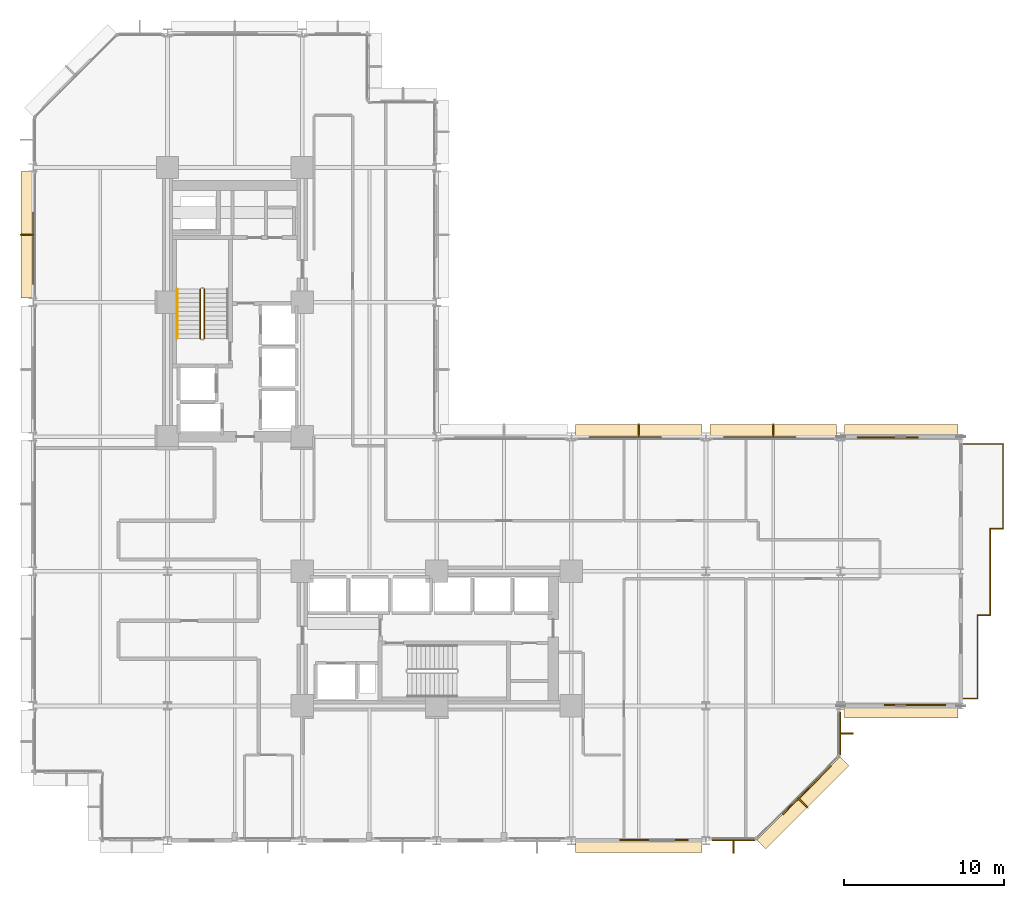
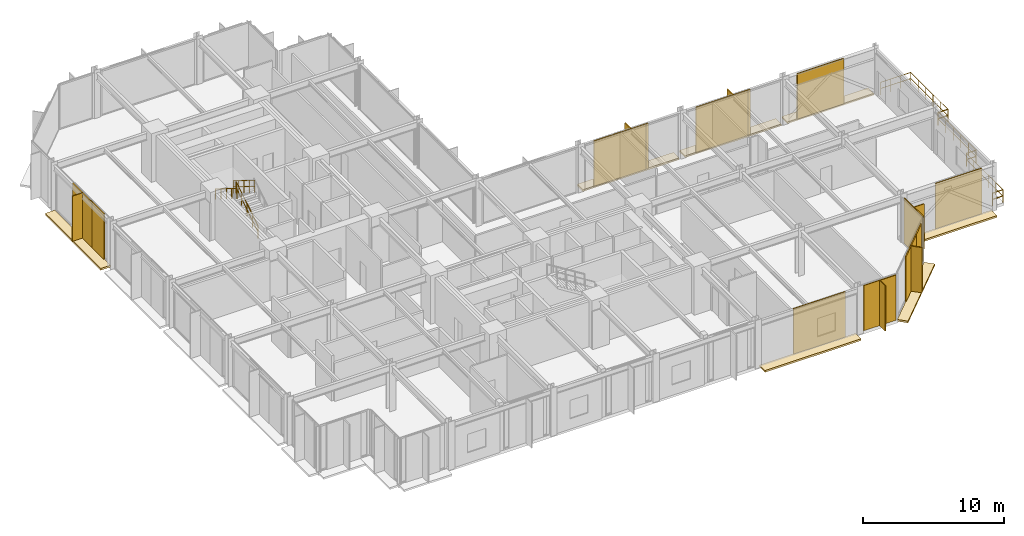
# One storey, part 29 of 30: 14 coverings, 12 shading devices, 10 railings.
"""IFC4 building model written with IfcOpenShell, lengths in metres."""

from ifc_helpers import new_model, si_unit, direction, frame, origin, origin_2d, place, context, subcontext, project, spatial, polyline, rectangle, circle, outline, extrude, material, layer, layer_set, type_object, element, save


model = new_model("IFC4")

# Units and contexts
model_context = context("Model", 3, precision=1e-05, world=origin(), true_north=direction((0.0, 1.0)))
body_context = subcontext(model_context, "Body", "Model", "MODEL_VIEW")
ifc_project = project(units=[si_unit("LENGTHUNIT", "METRE"), si_unit("AREAUNIT", "SQUARE_METRE"), si_unit("VOLUMEUNIT", "CUBIC_METRE"), si_unit("PLANEANGLEUNIT", "RADIAN"), si_unit("MASSUNIT", "GRAM", prefix="KILO")], contexts=[model_context])

# Site, building, storey
site_placement = place(None, origin())
site = spatial("IfcSite", under=ifc_project, at=site_placement, CompositionType="ELEMENT")
building_placement = place(site_placement, origin())
building = spatial("IfcBuilding", under=site, at=building_placement, Name="Nerrivon Quay Data Exchange", CompositionType="ELEMENT")
storey_placement = place(building_placement, frame((0.0, 0.0, 62.60009765625)))
storey = spatial("IfcBuildingStorey", under=building, at=storey_placement, Name="L14", CompositionType="ELEMENT", Elevation=62.60009765625)

# Coverings
ifc_material_1 = material(Name="Architectural terracotta ceramic", Category="masonry")
ifc_layer_1 = layer(ifc_material_1, 0.159912109375)
ifc_layer_set_1 = layer_set([ifc_layer_1], Name="Architectural terracotta ceramic")
covering_type_1 = type_object("IfcCoveringType", Name="COV-BLD-TERR", PredefinedType="CLADDING", material=ifc_layer_set_1)
covering_1_placement = place(storey_placement, frame((0.0, 0.0, -0.16015625)))
element("IfcCovering", 1, at=covering_1_placement, inside=storey, type_object=covering_type_1, Name="L14 Horizontal Terracotta SOLAR SCREEN Blade", PredefinedType="CLADDING", context=body_context, shape_type="SweptSolid", body=[
    extrude(outline(polyline([(57.744384765625, 8.43994140625), (50.64990234375, 8.43994140625), (50.64990234375, 7.64990234375), (57.744384765625, 7.64990234375), (57.744384765625, 8.43994140625)])), origin(), (0.0, 0.0, 1.0), 0.16015625),
])
covering_2_placement = place(storey_placement, frame((0.0, 0.0, -0.16015625)))
element("IfcCovering", 2, at=covering_2_placement, inside=storey, type_object=covering_type_1, Name="L14 Horizontal Terracotta SOLAR SCREEN Blade", PredefinedType="CLADDING", context=body_context, shape_type="SweptSolid", body=[
    extrude(outline(polyline([(50.37158203125, 5.228271484375), (45.171630859375, 0.0283203125), (45.730224609375, -0.5302734375), (50.930419921875, 4.669677734375), (50.37158203125, 5.228271484375)])), origin(), (0.0, 0.0, 1.0), 0.16015625),
])
covering_3_placement = place(storey_placement, frame((0.0, 0.0, -0.16015625)))
element("IfcCovering", 3, at=covering_3_placement, inside=storey, type_object=covering_type_1, Name="L14 Horizontal Terracotta SOLAR SCREEN Blade", PredefinedType="CLADDING", context=body_context, shape_type="SweptSolid", body=[
    extrude(outline(polyline([(41.75, 0.0400390625), (33.85009765625, 0.0400390625), (33.85009765625, -0.75), (41.75, -0.75), (41.75, 0.0400390625)])), origin(), (0.0, 0.0, 1.0), 0.16015625),
])
covering_4_placement = place(storey_placement, frame((0.0, 0.0, -0.16015625)))
element("IfcCovering", 4, at=covering_4_placement, inside=storey, type_object=covering_type_1, Name="L14 Horizontal Terracotta SOLAR SCREEN Blade", PredefinedType="CLADDING", context=body_context, shape_type="SweptSolid", body=[
    extrude(outline(polyline([(0.0400390625, 33.85009765625), (0.0400390625, 41.75), (-0.75, 41.75), (-0.75, 33.85009765625), (0.0400390625, 33.85009765625)])), origin(), (0.0, 0.0, 1.0), 0.16015625),
])
covering_5_placement = place(storey_placement, frame((0.0, 0.0, -0.16015625)))
element("IfcCovering", 5, at=covering_5_placement, inside=storey, type_object=covering_type_1, Name="L14 Horizontal Terracotta SOLAR SCREEN Blade", PredefinedType="CLADDING", context=body_context, shape_type="SweptSolid", body=[
    extrude(outline(polyline([(33.85009765625, 25.159912109375), (41.75, 25.159912109375), (41.75, 25.949951171875), (33.85009765625, 25.949951171875), (33.85009765625, 25.159912109375)])), origin(), (0.0, 0.0, 1.0), 0.16015625),
])
covering_6_placement = place(storey_placement, frame((0.0, 0.0, -0.16015625)))
element("IfcCovering", 6, at=covering_6_placement, inside=storey, type_object=covering_type_1, Name="L14 Horizontal Terracotta SOLAR SCREEN Blade", PredefinedType="CLADDING", context=body_context, shape_type="SweptSolid", body=[
    extrude(outline(polyline([(42.25, 25.159912109375), (50.14990234375, 25.159912109375), (50.14990234375, 25.949951171875), (42.25, 25.949951171875), (42.25, 25.159912109375)])), origin(), (0.0, 0.0, 1.0), 0.16015625),
])
covering_7_placement = place(storey_placement, frame((0.0, 0.0, -0.16015625)))
element("IfcCovering", 7, at=covering_7_placement, inside=storey, type_object=covering_type_1, Name="L14 Horizontal Terracotta SOLAR SCREEN Blade", PredefinedType="CLADDING", context=body_context, shape_type="SweptSolid", body=[
    extrude(outline(polyline([(50.64990234375, 25.159912109375), (57.744384765625, 25.159912109375), (57.744384765625, 25.949951171875), (50.64990234375, 25.949951171875), (50.64990234375, 25.159912109375)])), origin(), (0.0, 0.0, 1.0), 0.16015625),
])
ifc_layer_2 = layer(ifc_material_1, 0.090087890625)
ifc_layer_set_2 = layer_set([ifc_layer_2], Name="Architectural terracotta ceramic")
covering_type_2 = type_object("IfcCoveringType", Name="COV-SCR-TERR", PredefinedType="CLADDING", material=ifc_layer_set_2)
covering_8_placement = place(storey_placement, frame((55.048583984375, 8.445068359375, 0.0), z_axis=(0.0, 0.0, 1.0), x_axis=(-1.0, 0.0, 0.0)))
element("IfcCovering", 8, at=covering_8_placement, inside=storey, type_object=covering_type_2, Name="L14 Perforated Terracotta SOLAR SCREEN Cassette", PredefinedType="CLADDING", context=body_context, shape_type="SweptSolid", body=[
    extrude(rectangle(XDim=3.8310546875, YDim=0.090087890625, at=origin_2d()), origin(), (0.0, 0.0, 1.0), 3.925048828125),
])
covering_9_placement = place(storey_placement, frame((48.39208984375, 3.255859375, 0.0), z_axis=(0.0, 0.0, 1.0), x_axis=(-0.707106781187, -0.707106781187, 0.0)))
element("IfcCovering", 9, at=covering_9_placement, inside=storey, type_object=covering_type_2, Name="L14 Perforated Terracotta SOLAR SCREEN Cassette", PredefinedType="CLADDING", context=body_context, shape_type="SweptSolid", body=[
    extrude(rectangle(XDim=3.970947265625, YDim=0.090087890625, at=origin_2d()), origin(), (0.0, 0.0, 1.0), 3.925048828125),
])
for number, where, z_axis, x_axis, name in (
    (10, (38.748046875, 0.044921875, 0.0), (0.0, 0.0, 1.0), (-1.0, 0.0, 0.0), "L14 Perforated Terracotta SOLAR SCREEN Cassette"),
    (11, (0.044921875, 36.85205078125, 0.0), (0.0, 0.0, 1.0), (0.0, 1.0, 0.0), "L14 Perforated Terracotta SOLAR SCREEN Cassette"),
    (12, (36.85205078125, 25.155029296875, 0.0), (0.0, 0.0, 1.0), (1.0, 0.0, 0.0), "L14 Perforated Terracotta SOLAR SCREEN Cassette"),
    (13, (45.251953125, 25.155029296875, 0.0), (0.0, 0.0, 1.0), (1.0, 0.0, 0.0), "L14 Perforated Terracotta SOLAR SCREEN Cassette"),
):
    element("IfcCovering", number, at=place(storey_placement, frame(where, z_axis=z_axis, x_axis=x_axis)), inside=storey, type_object=covering_type_2, Name=name, PredefinedType="CLADDING", context=body_context, shape_type="SweptSolid", body=[
        extrude(rectangle(XDim=4.26611328125, YDim=0.090087890625, at=origin_2d()), origin(), (0.0, 0.0, 1.0), 3.925048828125),
    ])
covering_10_placement = place(storey_placement, frame((53.345947265625, 25.155029296875, 0.0), z_axis=(0.0, 0.0, 1.0), x_axis=(1.0, 0.0, 0.0)))
element("IfcCovering", 14, at=covering_10_placement, inside=storey, type_object=covering_type_2, Name="L14 Perforated Terracotta SOLAR SCREEN Cassette", PredefinedType="CLADDING", context=body_context, shape_type="SweptSolid", body=[
    extrude(rectangle(XDim=3.8310546875, YDim=0.090087890625, at=origin_2d()), origin(), (0.0, 0.0, 1.0), 3.925048828125),
])

# Railings
ifc_material_2 = material(Name="Steel Grade C350L0 (350 MPa)", Category="steel")
railing_type_1 = type_object("IfcRailingType", Name="RAIL-GUARD-GR2", PredefinedType="BALUSTRADE", material=ifc_material_2)
railing_1_placement = place(storey_placement, frame((58.93994140625, 14.06005859375, 0.0)))
element("IfcRailing", 15, at=railing_1_placement, inside=storey, type_object=railing_type_1, Name="L14 Verandah Balcony Guard 1.1 1", PredefinedType="BALUSTRADE", context=body_context, shape_type="SweptSolid", body=[
    extrude(circle(Radius=0.02392578125, at=origin_2d()), frame((0.0, 0.0, 1.09619140625), z_axis=(0.0, -1.0, 0.0), x_axis=(1.0, 0.0, 0.0)), (0.0, 0.0, 1.0), 5.199951171875),
    extrude(circle(Radius=0.02392578125, at=origin_2d()), frame((0.0, 0.0, 0.56005859375), z_axis=(0.0, -1.0, 0.0), x_axis=(1.0, 0.0, 0.0)), (0.0, 0.0, 1.0), 5.199951171875),
    extrude(circle(Radius=0.02099609375, at=origin_2d()), origin(), (0.0, 0.0, 1.0), 1.072021484375),
    extrude(circle(Radius=0.02099609375, at=origin_2d()), frame((0.0, -1.0400390625, 0.0)), (0.0, 0.0, 1.0), 1.072021484375),
    extrude(circle(Radius=0.02099609375, at=origin_2d()), frame((0.0, -2.080078125, 0.0)), (0.0, 0.0, 1.0), 1.072021484375),
    extrude(circle(Radius=0.02099609375, at=origin_2d()), frame((0.0, -3.119873046875, 0.0)), (0.0, 0.0, 1.0), 1.072021484375),
    extrude(circle(Radius=0.02099609375, at=origin_2d()), frame((0.0, -4.159912109375, 0.0)), (0.0, 0.0, 1.0), 1.072021484375),
    extrude(circle(Radius=0.02099609375, at=origin_2d()), frame((0.0, -5.199951171875, 0.0)), (0.0, 0.0, 1.0), 1.072021484375),
])
railing_2_placement = place(storey_placement, frame((58.93994140625, 8.860107421875, 0.0)))
element("IfcRailing", 16, at=railing_2_placement, inside=storey, type_object=railing_type_1, Name="L14 Verandah Balcony Guard 1.2 1", PredefinedType="BALUSTRADE", context=body_context, shape_type="SweptSolid", body=[
    extrude(circle(Radius=0.02392578125, at=origin_2d()), frame((0.0, 0.0, 1.09619140625), z_axis=(-1.0, 0.0, 0.0), x_axis=(0.0, -1.0, 0.0)), (0.0, 0.0, 1.0), 0.85986328125),
    extrude(circle(Radius=0.02392578125, at=origin_2d()), frame((0.0, 0.0, 0.56005859375), z_axis=(-1.0, 0.0, 0.0), x_axis=(0.0, -1.0, 0.0)), (0.0, 0.0, 1.0), 0.85986328125),
    extrude(circle(Radius=0.02099609375, at=origin_2d()), origin(), (0.0, 0.0, 1.0), 1.072021484375),
    extrude(circle(Radius=0.02099609375, at=origin_2d()), frame((-0.85986328125, 0.0, 0.0)), (0.0, 0.0, 1.0), 1.072021484375),
])
railing_3_placement = place(storey_placement, frame((58.080078125, 24.739990234375, 0.0)))
element("IfcRailing", 17, at=railing_3_placement, inside=storey, type_object=railing_type_1, Name="L14 Verandah Balcony Guard 1.3 1", PredefinedType="BALUSTRADE", context=body_context, shape_type="SweptSolid", body=[
    extrude(circle(Radius=0.02392578125, at=origin_2d()), frame((0.0, 0.0, 1.09619140625), z_axis=(1.0, 0.0, 0.0), x_axis=(0.0, 1.0, 0.0)), (0.0, 0.0, 1.0), 2.4599609375),
    extrude(circle(Radius=0.02392578125, at=origin_2d()), frame((0.0, 0.0, 0.56005859375), z_axis=(1.0, 0.0, 0.0), x_axis=(0.0, 1.0, 0.0)), (0.0, 0.0, 1.0), 2.4599609375),
    extrude(circle(Radius=0.02099609375, at=origin_2d()), origin(), (0.0, 0.0, 1.0), 1.072021484375),
    extrude(circle(Radius=0.02099609375, at=origin_2d()), frame((0.820068359375, 0.0, 0.0)), (0.0, 0.0, 1.0), 1.072021484375),
    extrude(circle(Radius=0.02099609375, at=origin_2d()), frame((1.639892578125, 0.0, 0.0)), (0.0, 0.0, 1.0), 1.072021484375),
    extrude(circle(Radius=0.02099609375, at=origin_2d()), frame((2.4599609375, 0.0, 0.0)), (0.0, 0.0, 1.0), 1.072021484375),
])
railing_4_placement = place(storey_placement, frame((60.5400390625, 24.739990234375, 0.0)))
element("IfcRailing", 18, at=railing_4_placement, inside=storey, type_object=railing_type_1, Name="L14 Verandah Balcony Guard 1.4 1", PredefinedType="BALUSTRADE", context=body_context, shape_type="SweptSolid", body=[
    extrude(circle(Radius=0.02392578125, at=origin_2d()), frame((0.0, 0.0, 1.09619140625), z_axis=(0.0, -1.0, 0.0), x_axis=(1.0, 0.0, 0.0)), (0.0, 0.0, 1.0), 5.280029296875),
    extrude(circle(Radius=0.02392578125, at=origin_2d()), frame((0.0, 0.0, 0.56005859375), z_axis=(0.0, -1.0, 0.0), x_axis=(1.0, 0.0, 0.0)), (0.0, 0.0, 1.0), 5.280029296875),
    extrude(circle(Radius=0.02099609375, at=origin_2d()), origin(), (0.0, 0.0, 1.0), 1.072021484375),
    extrude(circle(Radius=0.02099609375, at=origin_2d()), frame((0.0, -1.055908203125, 0.0)), (0.0, 0.0, 1.0), 1.072021484375),
    extrude(circle(Radius=0.02099609375, at=origin_2d()), frame((0.0, -2.112060546875, 0.0)), (0.0, 0.0, 1.0), 1.072021484375),
    extrude(circle(Radius=0.02099609375, at=origin_2d()), frame((0.0, -3.16796875, 0.0)), (0.0, 0.0, 1.0), 1.072021484375),
    extrude(circle(Radius=0.02099609375, at=origin_2d()), frame((0.0, -4.22412109375, 0.0)), (0.0, 0.0, 1.0), 1.072021484375),
    extrude(circle(Radius=0.02099609375, at=origin_2d()), frame((0.0, -5.280029296875, 0.0)), (0.0, 0.0, 1.0), 1.072021484375),
])
railing_5_placement = place(storey_placement, frame((60.5400390625, 19.4599609375, 0.0)))
element("IfcRailing", 19, at=railing_5_placement, inside=storey, type_object=railing_type_1, Name="L14 Verandah Balcony Guard 1.5 1", PredefinedType="BALUSTRADE", context=body_context, shape_type="SweptSolid", body=[
    extrude(circle(Radius=0.02392578125, at=origin_2d()), frame((0.0, 0.0, 1.09619140625), z_axis=(-1.0, 0.0, 0.0), x_axis=(0.0, -1.0, 0.0)), (0.0, 0.0, 1.0), 0.800048828125),
    extrude(circle(Radius=0.02392578125, at=origin_2d()), frame((0.0, 0.0, 0.56005859375), z_axis=(-1.0, 0.0, 0.0), x_axis=(0.0, -1.0, 0.0)), (0.0, 0.0, 1.0), 0.800048828125),
    extrude(circle(Radius=0.02099609375, at=origin_2d()), origin(), (0.0, 0.0, 1.0), 1.072021484375),
    extrude(circle(Radius=0.02099609375, at=origin_2d()), frame((-0.800048828125, 0.0, 0.0)), (0.0, 0.0, 1.0), 1.072021484375),
])
railing_6_placement = place(storey_placement, frame((59.739990234375, 19.4599609375, 0.0)))
element("IfcRailing", 20, at=railing_6_placement, inside=storey, type_object=railing_type_1, Name="L14 Verandah Balcony Guard 1.6 1", PredefinedType="BALUSTRADE", context=body_context, shape_type="SweptSolid", body=[
    extrude(circle(Radius=0.02392578125, at=origin_2d()), frame((0.0, 0.0, 1.09619140625), z_axis=(0.0, -1.0, 0.0), x_axis=(1.0, 0.0, 0.0)), (0.0, 0.0, 1.0), 5.39990234375),
    extrude(circle(Radius=0.02392578125, at=origin_2d()), frame((0.0, 0.0, 0.56005859375), z_axis=(0.0, -1.0, 0.0), x_axis=(1.0, 0.0, 0.0)), (0.0, 0.0, 1.0), 5.39990234375),
    extrude(circle(Radius=0.02099609375, at=origin_2d()), origin(), (0.0, 0.0, 1.0), 1.072021484375),
    extrude(circle(Radius=0.02099609375, at=origin_2d()), frame((0.0, -1.080078125, 0.0)), (0.0, 0.0, 1.0), 1.072021484375),
    extrude(circle(Radius=0.02099609375, at=origin_2d()), frame((0.0, -2.159912109375, 0.0)), (0.0, 0.0, 1.0), 1.072021484375),
    extrude(circle(Radius=0.02099609375, at=origin_2d()), frame((0.0, -3.239990234375, 0.0)), (0.0, 0.0, 1.0), 1.072021484375),
    extrude(circle(Radius=0.02099609375, at=origin_2d()), frame((0.0, -4.31982421875, 0.0)), (0.0, 0.0, 1.0), 1.072021484375),
    extrude(circle(Radius=0.02099609375, at=origin_2d()), frame((0.0, -5.39990234375, 0.0)), (0.0, 0.0, 1.0), 1.072021484375),
])
railing_7_placement = place(storey_placement, frame((59.739990234375, 14.06005859375, 0.0)))
element("IfcRailing", 21, at=railing_7_placement, inside=storey, type_object=railing_type_1, Name="L14 Verandah Balcony Guard 1.7 1", PredefinedType="BALUSTRADE", context=body_context, shape_type="SweptSolid", body=[
    extrude(circle(Radius=0.02392578125, at=origin_2d()), frame((0.0, 0.0, 1.09619140625), z_axis=(-1.0, 0.0, 0.0), x_axis=(0.0, -1.0, 0.0)), (0.0, 0.0, 1.0), 0.800048828125),
    extrude(circle(Radius=0.02392578125, at=origin_2d()), frame((0.0, 0.0, 0.56005859375), z_axis=(-1.0, 0.0, 0.0), x_axis=(0.0, -1.0, 0.0)), (0.0, 0.0, 1.0), 0.800048828125),
    extrude(circle(Radius=0.02099609375, at=origin_2d()), origin(), (0.0, 0.0, 1.0), 1.072021484375),
    extrude(circle(Radius=0.02099609375, at=origin_2d()), frame((-0.800048828125, 0.0, 0.0)), (0.0, 0.0, 1.0), 1.072021484375),
])
railing_type_2 = type_object("IfcRailingType", Name="RAIL-HAND-HR1", PredefinedType="HANDRAIL", material=ifc_material_2)
railing_8_placement = place(storey_placement, frame((9.0, 34.409912109375, 2.27490234375)))
element("IfcRailing", 22, at=railing_8_placement, inside=storey, type_object=railing_type_2, Name="L14 ST01 stair handrail 2", PredefinedType="HANDRAIL", context=body_context, shape_type="SweptSolid", body=[
    extrude(circle(Radius=0.02392578125, at=origin_2d()), frame((0.0, 0.0, 0.8759765625), z_axis=(0.0, -0.847979421464, 0.530029150871), x_axis=(1.0, 0.0, 0.0)), (0.0, 0.0, 1.0), 3.632080078125),
    extrude(circle(Radius=0.02099609375, at=origin_2d()), origin(), (0.0, 0.0, 1.0), 0.851806640625),
    extrude(circle(Radius=0.02099609375, at=origin_2d()), frame((0.0, -0.77001953125, 0.481201171875)), (0.0, 0.0, 1.0), 0.851806640625),
    extrude(circle(Radius=0.02099609375, at=origin_2d()), frame((0.0, -1.5400390625, 0.96240234375)), (0.0, 0.0, 1.0), 0.851806640625),
    extrude(circle(Radius=0.02099609375, at=origin_2d()), frame((0.0, -2.309814453125, 1.44384765625)), (0.0, 0.0, 1.0), 0.851806640625),
    extrude(circle(Radius=0.02099609375, at=origin_2d()), frame((0.0, -3.079833984375, 1.925048828125)), (0.0, 0.0, 1.0), 0.851806640625),
])
railing_type_3 = type_object("IfcRailingType", Name="RAIL-STAIR-GR1", PredefinedType="BALUSTRADE", material=ifc_material_2)
railing_9_placement = place(storey_placement, frame((10.699951171875, 31.330078125, 0.1748046875)))
element("IfcRailing", 23, at=railing_9_placement, inside=storey, type_object=railing_type_3, Name="L14 ST01 stair guard 1", PredefinedType="BALUSTRADE", context=body_context, shape_type="SweptSolid", body=[
    extrude(circle(Radius=0.02392578125, at=origin_2d()), frame((0.0, 0.0, 1.076171875), z_axis=(0.0, 0.847979421464, 0.530029150871), x_axis=(-1.0, 0.0, 0.0)), (0.0, 0.0, 1.0), 3.632080078125),
    extrude(circle(Radius=0.02392578125, at=origin_2d()), frame((0.0, 0.0, 0.550048828125), z_axis=(0.0, 0.847979421464, 0.530029150871), x_axis=(-1.0, 0.0, 0.0)), (0.0, 0.0, 1.0), 3.632080078125),
    extrude(circle(Radius=0.02099609375, at=origin_2d()), origin(), (0.0, 0.0, 1.0), 1.052001953125),
    extrude(circle(Radius=0.02099609375, at=origin_2d()), frame((0.0, 0.77001953125, 0.481201171875)), (0.0, 0.0, 1.0), 1.052001953125),
    extrude(circle(Radius=0.02099609375, at=origin_2d()), frame((0.0, 1.5400390625, 0.96240234375)), (0.0, 0.0, 1.0), 1.052001953125),
    extrude(circle(Radius=0.02099609375, at=origin_2d()), frame((0.0, 2.309814453125, 1.44384765625)), (0.0, 0.0, 1.0), 1.052001953125),
    extrude(circle(Radius=0.02099609375, at=origin_2d()), frame((0.0, 3.079833984375, 1.925048828125)), (0.0, 0.0, 1.0), 1.052001953125),
])
railing_10_placement = place(storey_placement, frame((10.449951171875, 34.409912109375, 2.27490234375)))
element("IfcRailing", 24, at=railing_10_placement, inside=storey, type_object=railing_type_3, Name="L14 ST01 stair guard 3", PredefinedType="BALUSTRADE", context=body_context, shape_type="SweptSolid", body=[
    extrude(circle(Radius=0.02392578125, at=origin_2d()), frame((0.0, 0.0, 1.076171875), z_axis=(0.0, -0.847979421464, 0.530029150871), x_axis=(1.0, 0.0, 0.0)), (0.0, 0.0, 1.0), 3.632080078125),
    extrude(circle(Radius=0.02392578125, at=origin_2d()), frame((0.0, 0.0, 0.550048828125), z_axis=(0.0, -0.847979421464, 0.530029150871), x_axis=(1.0, 0.0, 0.0)), (0.0, 0.0, 1.0), 3.632080078125),
    extrude(circle(Radius=0.02099609375, at=origin_2d()), origin(), (0.0, 0.0, 1.0), 1.052001953125),
    extrude(circle(Radius=0.02099609375, at=origin_2d()), frame((0.0, -0.77001953125, 0.481201171875)), (0.0, 0.0, 1.0), 1.052001953125),
    extrude(circle(Radius=0.02099609375, at=origin_2d()), frame((0.0, -1.5400390625, 0.96240234375)), (0.0, 0.0, 1.0), 1.052001953125),
    extrude(circle(Radius=0.02099609375, at=origin_2d()), frame((0.0, -2.309814453125, 1.44384765625)), (0.0, 0.0, 1.0), 1.052001953125),
    extrude(circle(Radius=0.02099609375, at=origin_2d()), frame((0.0, -3.079833984375, 1.925048828125)), (0.0, 0.0, 1.0), 1.052001953125),
])

# Shading devices
ifc_layer_3 = layer(ifc_material_1, 0.074951171875)
ifc_layer_set_3 = layer_set([ifc_layer_3], Name="Architectural terracotta ceramic")
shading_device_type_1 = type_object("IfcShadingDeviceType", Name="SHD-FIN-SS02", PredefinedType="USERDEFINED", material=ifc_layer_set_3)
for number, where, z_axis, x_axis, name in (
    (25, (50.780029296875, 6.675048828125, 0.0), (0.0, 0.0, 1.0), (0.0, -1.0, 0.0), "L14 Subtropical Solar Fin Blade 4"),
    (26, (48.068603515625, 2.331298828125, 0.0), (0.0, 0.0, 1.0), (-0.707106781187, -0.707106781187, 0.0), "L14 Subtropical Solar Fin Blade 5"),
    (27, (43.72509765625, -0.3798828125, 0.0), (0.0, 0.0, 1.0), (-1.0, 0.0, 0.0), "L14 Subtropical Solar Fin Blade 6"),
    (28, (-0.3798828125, 37.800048828125, 0.0), (0.0, 0.0, 1.0), (0.0, 1.0, 0.0), "L14 Subtropical Solar Fin Blade 21"),
    (29, (37.800048828125, 25.580078125, 0.0), (0.0, 0.0, 1.0), (1.0, 0.0, 0.0), "L14 Subtropical Solar Fin Blade 33"),
    (30, (46.199951171875, 25.580078125, 0.0), (0.0, 0.0, 1.0), (1.0, 0.0, 0.0), "L14 Subtropical Solar Fin Blade 34"),
):
    element("IfcShadingDevice", number, at=place(storey_placement, frame(where, z_axis=z_axis, x_axis=x_axis)), inside=storey, type_object=shading_device_type_1, Name=name, ObjectType="FIN", PredefinedType="USERDEFINED", context=body_context, shape_type="SweptSolid", body=[
        extrude(rectangle(XDim=0.074951171875, YDim=0.85009765625, at=origin_2d()), origin(), (0.0, 0.0, 1.0), 3.925048828125),
    ])
ifc_layer_4 = layer(ifc_material_1, 0.0849609375)
ifc_layer_set_4 = layer_set([ifc_layer_4], Name="Architectural terracotta ceramic")
shading_device_type_2 = type_object("IfcShadingDeviceType", Name="SHD-SCR-SS01", PredefinedType="USERDEFINED", material=ifc_layer_set_4)
shading_device_1_placement = place(storey_placement, frame((50.360107421875, 6.675048828125, 0.0), z_axis=(0.0, 0.0, 1.0), x_axis=(0.0, -1.0, 0.0)))
element("IfcShadingDevice", 31, at=shading_device_1_placement, inside=storey, type_object=shading_device_type_2, Name="L14 Perforated Terracotta Solar Screen 4", ObjectType="SCREEN", PredefinedType="USERDEFINED", context=body_context, shape_type="SweptSolid", body=[
    extrude(rectangle(XDim=2.64990234375, YDim=0.0849609375, at=origin_2d()), origin(), (0.0, 0.0, 1.0), 3.925048828125),
])
shading_device_2_placement = place(storey_placement, frame((47.771728515625, 2.62841796875, 0.0), z_axis=(0.0, 0.0, 1.0), x_axis=(-0.707106781187, -0.707106781187, 0.0)))
element("IfcShadingDevice", 32, at=shading_device_2_placement, inside=storey, type_object=shading_device_type_2, Name="L14 Perforated Terracotta Solar Screen 5", ObjectType="SCREEN", PredefinedType="USERDEFINED", context=body_context, shape_type="SweptSolid", body=[
    extrude(rectangle(XDim=2.800048828125, YDim=0.0849609375, at=origin_2d()), origin(), (0.0, 0.0, 1.0), 3.925048828125),
])
shading_device_3_placement = place(storey_placement, frame((43.72509765625, 0.0400390625, 0.0), z_axis=(0.0, 0.0, 1.0), x_axis=(-1.0, 0.0, 0.0)))
element("IfcShadingDevice", 33, at=shading_device_3_placement, inside=storey, type_object=shading_device_type_2, Name="L14 Perforated Terracotta Solar Screen 6", ObjectType="SCREEN", PredefinedType="USERDEFINED", context=body_context, shape_type="SweptSolid", body=[
    extrude(rectangle(XDim=2.64990234375, YDim=0.0849609375, at=origin_2d()), origin(), (0.0, 0.0, 1.0), 3.925048828125),
])
for number, where, z_axis, x_axis, name in (
    (34, (0.0400390625, 37.800048828125, 0.0), (0.0, 0.0, 1.0), (0.0, 1.0, 0.0), "L14 Perforated Terracotta Solar Screen 21"),
    (35, (37.800048828125, 25.159912109375, 0.0), (0.0, 0.0, 1.0), (1.0, 0.0, 0.0), "L14 Perforated Terracotta Solar Screen 33"),
    (36, (46.199951171875, 25.159912109375, 0.0), (0.0, 0.0, 1.0), (1.0, 0.0, 0.0), "L14 Perforated Terracotta Solar Screen 34"),
):
    element("IfcShadingDevice", number, at=place(storey_placement, frame(where, z_axis=z_axis, x_axis=x_axis)), inside=storey, type_object=shading_device_type_2, Name=name, ObjectType="SCREEN", PredefinedType="USERDEFINED", context=body_context, shape_type="SweptSolid", body=[
        extrude(rectangle(XDim=2.800048828125, YDim=0.0849609375, at=origin_2d()), origin(), (0.0, 0.0, 1.0), 3.925048828125),
    ])

save(model, "model.ifc")
